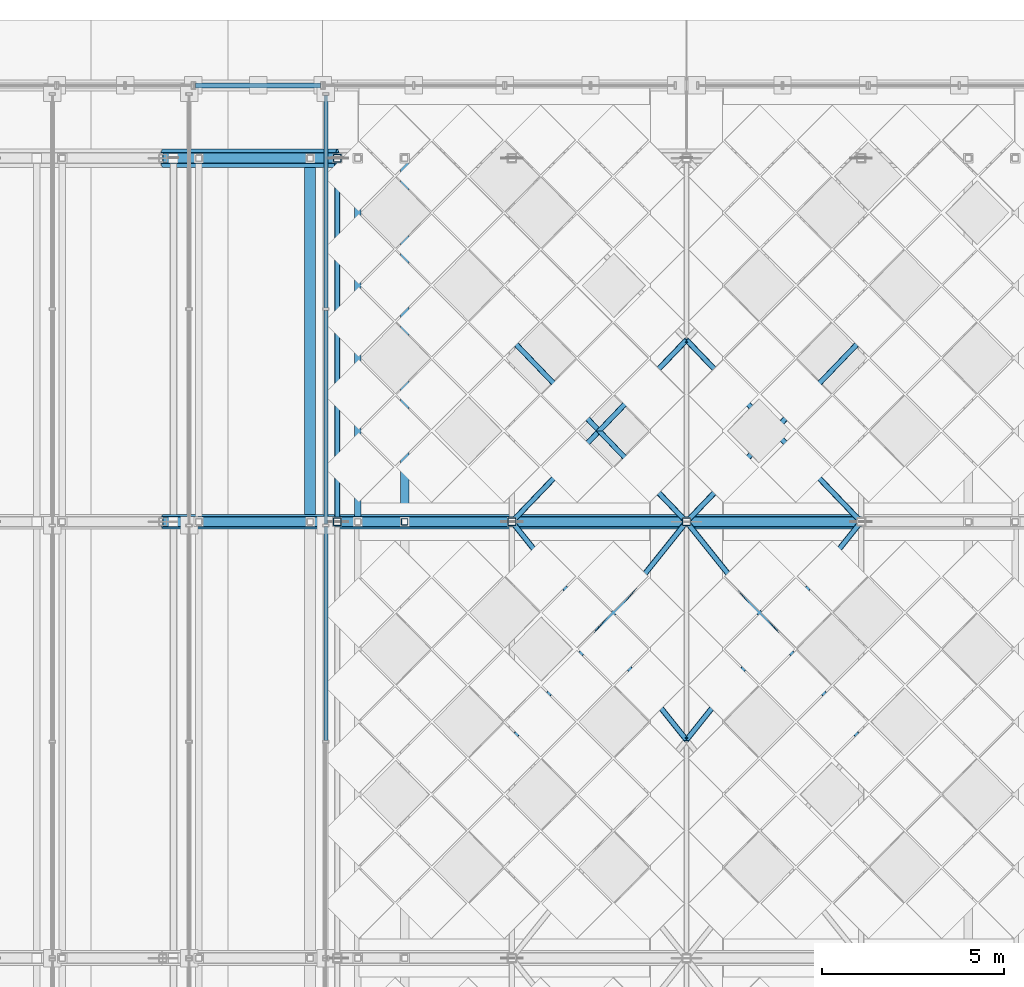
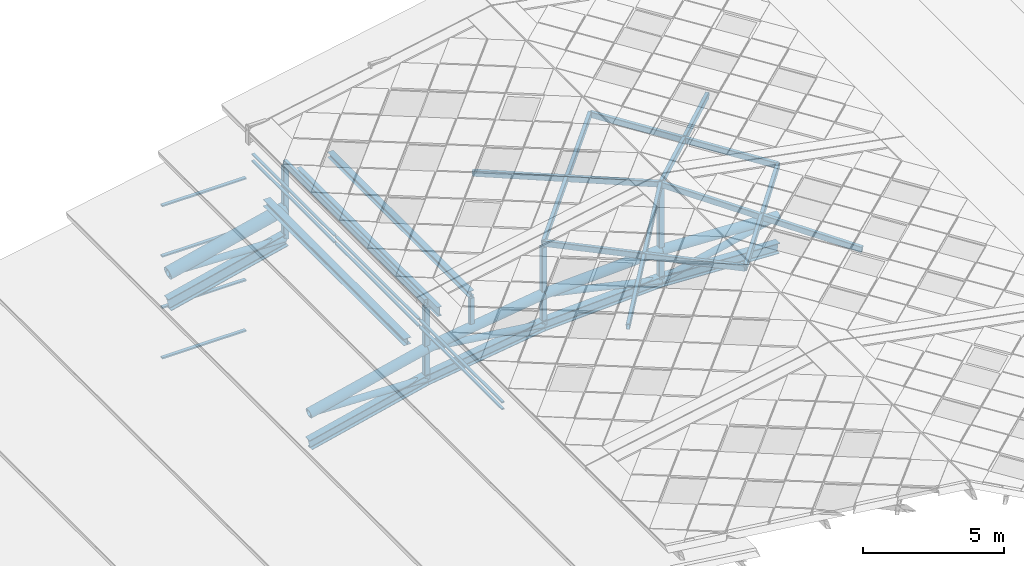
# One storey, part 34 of 117: 42 members, 2 elements without a shape of their own.
"""IFC4 building model written with IfcOpenShell, lengths in metres."""

from ifc_helpers import new_model, si_unit, direction, frame, origin, origin_2d, place, context, subcontext, project, spatial, hollow_rectangle, hollow_circle, i_section, extrude, material, material_profile, profile_set, type_object, element, aggregate, save


model = new_model("IFC4")

# Units and contexts
model_context = context("Model", 3, precision=1e-05, world=origin(), true_north=direction((0.0, 1.0)))
body_context = subcontext(model_context, "Body", "Model", "MODEL_VIEW")
ifc_project = project(units=[si_unit("LENGTHUNIT", "METRE"), si_unit("AREAUNIT", "SQUARE_METRE"), si_unit("VOLUMEUNIT", "CUBIC_METRE"), si_unit("PLANEANGLEUNIT", "RADIAN"), si_unit("MASSUNIT", "GRAM", prefix="KILO")], contexts=[model_context])

# Site, building, storey
site_placement = place(None, origin())
site = spatial("IfcSite", under=ifc_project, at=site_placement, CompositionType="ELEMENT")
building_placement = place(site_placement, origin())
building = spatial("IfcBuilding", under=site, at=building_placement, Name="Merenkruunu Market Hall", CompositionType="ELEMENT")
storey_placement = place(building_placement, frame((0.0, 0.0, 22.800048828125)))
storey = spatial("IfcBuildingStorey", under=building, at=storey_placement, Name="RF", CompositionType="ELEMENT", Elevation=22.800048828125)

# Members
ifc_material_1 = material(Name="Steel S355ML", Category="steel")
ifc_material_profile_1 = material_profile(ifc_material_1, hollow_circle(Radius=0.25390625, WallThickness=0.02001953125, at=origin_2d()), Name="CHS 508x20")
ifc_profile_set_1 = profile_set([ifc_material_profile_1], Name="Steel S355ML")
member_type_1 = type_object("IfcMemberType", Name="Arch Truss Chord TC01", PredefinedType="CHORD", material=ifc_profile_set_1)
member_1_placement = place(storey_placement, frame((14.39990234375, 109.60009765625, -3.47998046875), z_axis=(0.972941974064, 0.0, 0.231049594471), x_axis=(0.0, 1.0, 0.0)))
element("IfcMember", 1, at=member_1_placement, inside=storey, type_object=member_type_1, Name="TRUSS-AT-G-TOP-04", PredefinedType="CHORD", context=body_context, shape_type="SweptSolid", body=[
    extrude(hollow_circle(Radius=0.25390625, WallThickness=0.02001953125, at=origin_2d()), origin(), (0.0, 0.0, 1.0), 4.93359375),
])
ifc_material_profile_2 = material_profile(ifc_material_1, hollow_circle(Radius=0.203125, WallThickness=0.01611328125, at=origin_2d()), Name="CHS 406.4x16")
ifc_profile_set_2 = profile_set([ifc_material_profile_2], Name="Steel S355ML")
member_type_2 = type_object("IfcMemberType", Name="Arch Truss Chord TC02", PredefinedType="CHORD", material=ifc_profile_set_2)
member_2_placement = place(storey_placement, frame((14.39990234375, 99.60009765625, -3.47998046875), z_axis=(0.972941974064, 0.0, 0.231049594471), x_axis=(0.0, 1.0, 0.0)))
element("IfcMember", 2, at=member_2_placement, inside=storey, type_object=member_type_2, Name="TRUSS-AT-8-TOP-04", PredefinedType="CHORD", context=body_context, shape_type="SweptSolid", body=[
    extrude(hollow_circle(Radius=0.203125, WallThickness=0.01611328125, at=origin_2d()), origin(), (0.0, 0.0, 1.0), 4.93359375),
])
member_3_placement = place(storey_placement, frame((19.199951171875, 99.60009765625, -2.340087890625), z_axis=(0.990338564897, 0.0, 0.138670569613), x_axis=(0.0, 1.0, 0.0)))
element("IfcMember", 3, at=member_3_placement, inside=storey, type_object=member_type_2, Name="TRUSS-AT-8-TOP-05", PredefinedType="CHORD", context=body_context, shape_type="SweptSolid", body=[
    extrude(hollow_circle(Radius=0.203125, WallThickness=0.01611328125, at=origin_2d()), origin(), (0.0, 0.0, 1.0), 4.846923828125),
])
for number, where, z_axis, x_axis, name in (
    (4, (24.0, 99.60009765625, -1.66796875), (0.998932934692, 0.0, 0.046184326211), (0.0, 1.0, 0.0), "TRUSS-AT-8-TOP-06"),
    (5, (28.800048828125, 99.60009765625, -1.446044921875), (0.998932934692, 0.0, -0.046184326211), (0.0, 1.0, 0.0), "TRUSS-AT-8-TOP-07"),
):
    element("IfcMember", number, at=place(storey_placement, frame(where, z_axis=z_axis, x_axis=x_axis)), inside=storey, type_object=member_type_2, Name=name, PredefinedType="CHORD", context=body_context, shape_type="SweptSolid", body=[
        extrude(hollow_circle(Radius=0.203125, WallThickness=0.01611328125, at=origin_2d()), origin(), (0.0, 0.0, 1.0), 4.80517578125),
    ])
ifc_material_profile_3 = material_profile(ifc_material_1, i_section(OverallWidth=0.300048828125, OverallDepth=0.550048828125, WebThickness=0.014892578125, FlangeThickness=0.029052734375, FilletRadius=0.027099609375, at=origin_2d()), Name="HEB 550")
ifc_profile_set_3 = profile_set([ifc_material_profile_3], Name="Steel S355ML")
member_type_3 = type_object("IfcMemberType", Name="Arch Truss Chord TC03", PredefinedType="CHORD", material=ifc_profile_set_3)
member_4_placement = place(storey_placement, frame((14.39990234375, 109.60009765625, -4.780029296875), z_axis=(0.972941974064, 0.0, 0.231049594471), x_axis=(0.0, 1.0, 0.0)))
element("IfcMember", 6, at=member_4_placement, inside=storey, type_object=member_type_3, Name="TRUSS-AT-G-BOT-04", PredefinedType="CHORD", context=body_context, shape_type="SweptSolid", body=[
    extrude(i_section(OverallWidth=0.300048828125, OverallDepth=0.550048828125, WebThickness=0.014892578125, FlangeThickness=0.029052734375, FilletRadius=0.027099609375, at=origin_2d()), origin(), (0.0, 0.0, 1.0), 4.93359375),
])
ifc_material_profile_4 = material_profile(ifc_material_1, i_section(OverallWidth=0.300048828125, OverallDepth=0.449951171875, WebThickness=0.013916015625, FlangeThickness=0.02587890625, FilletRadius=0.027099609375, at=origin_2d()), Name="HEB 450")
ifc_profile_set_4 = profile_set([ifc_material_profile_4], Name="Steel S355ML")
member_type_4 = type_object("IfcMemberType", Name="Arch Truss Chord TC04", PredefinedType="CHORD", material=ifc_profile_set_4)
member_5_placement = place(storey_placement, frame((14.39990234375, 99.60009765625, -4.780029296875), z_axis=(0.972941974064, 0.0, 0.231049594471), x_axis=(0.0, 1.0, 0.0)))
element("IfcMember", 7, at=member_5_placement, inside=storey, type_object=member_type_4, Name="TRUSS-AT-8-BOT-04", PredefinedType="CHORD", context=body_context, shape_type="SweptSolid", body=[
    extrude(i_section(OverallWidth=0.300048828125, OverallDepth=0.449951171875, WebThickness=0.013916015625, FlangeThickness=0.02587890625, FilletRadius=0.027099609375, at=origin_2d()), origin(), (0.0, 0.0, 1.0), 4.93359375),
])
member_6_placement = place(storey_placement, frame((19.199951171875, 99.60009765625, -3.64013671875), z_axis=(0.990338564897, 0.0, 0.138670569613), x_axis=(0.0, 1.0, 0.0)))
element("IfcMember", 8, at=member_6_placement, inside=storey, type_object=member_type_4, Name="TRUSS-AT-8-BOT-05", PredefinedType="CHORD", context=body_context, shape_type="SweptSolid", body=[
    extrude(i_section(OverallWidth=0.300048828125, OverallDepth=0.449951171875, WebThickness=0.013916015625, FlangeThickness=0.02587890625, FilletRadius=0.027099609375, at=origin_2d()), origin(), (0.0, 0.0, 1.0), 4.846923828125),
])
for number, where, z_axis, x_axis, name in (
    (9, (24.0, 99.60009765625, -2.968017578125), (0.998932934692, 0.0, 0.046184326211), (0.0, 1.0, 0.0), "TRUSS-AT-8-BOT-06"),
    (10, (28.800048828125, 99.60009765625, -2.74609375), (0.998932934692, 0.0, -0.046184326211), (0.0, 1.0, 0.0), "TRUSS-AT-8-BOT-07"),
):
    element("IfcMember", number, at=place(storey_placement, frame(where, z_axis=z_axis, x_axis=x_axis)), inside=storey, type_object=member_type_4, Name=name, PredefinedType="CHORD", context=body_context, shape_type="SweptSolid", body=[
        extrude(i_section(OverallWidth=0.300048828125, OverallDepth=0.449951171875, WebThickness=0.013916015625, FlangeThickness=0.02587890625, FilletRadius=0.027099609375, at=origin_2d()), origin(), (0.0, 0.0, 1.0), 4.80517578125),
    ])

# Curtain wall, members
ifc_material_2 = material(Name="Powder-coated aluminium", Category="aluminium")
curtain_wall_type_1 = type_object("IfcCurtainWallType", Name="Glazed Curtain Wall CW18", PredefinedType="USERDEFINED", material=ifc_material_2)
curtain_wall_1_placement = place(storey_placement, origin())
curtain_wall_1 = element("IfcCurtainWall", 11, at=curtain_wall_1_placement, inside=storey, type_object=curtain_wall_type_1, Name="CW-RF-CWM03-071", ObjectType="GLAZED_FACADE", PredefinedType="USERDEFINED")
ifc_material_profile_5 = material_profile(ifc_material_2, hollow_rectangle(XDim=0.06005859375, YDim=0.139892578125, WallThickness=0.00390625, at=origin_2d()), Name="ALU 60x140x4")
ifc_profile_set_5 = profile_set([ifc_material_profile_5], Name="Powder-coated aluminium")
member_type_5 = type_object("IfcMemberType", Name="Curtain Wall Transom CWT02", PredefinedType="USERDEFINED", material=ifc_profile_set_5)
member_7_placement = place(storey_placement, frame((15.300048828125, 111.60009765625, -8.66015625), z_axis=(1.0, 0.0, 0.0), x_axis=(0.0, 0.0, 1.0)))
member_7 = element("IfcMember", 12, at=member_7_placement, type_object=member_type_5, Name="CW18 transom 1.1", ObjectType="TRANSOM", PredefinedType="USERDEFINED", context=body_context, shape_type="SweptSolid", body=[
    extrude(hollow_rectangle(XDim=0.06005859375, YDim=0.139892578125, WallThickness=0.00390625, at=origin_2d()), origin(), (0.0, 0.0, 1.0), 3.43994140625),
])
member_8_placement = place(storey_placement, frame((15.300048828125, 111.60009765625, -6.47314453125), z_axis=(1.0, 0.0, 0.0), x_axis=(0.0, 0.0, 1.0)))
member_8 = element("IfcMember", 13, at=member_8_placement, type_object=member_type_5, Name="CW18 transom 1.2", ObjectType="TRANSOM", PredefinedType="USERDEFINED", context=body_context, shape_type="SweptSolid", body=[
    extrude(hollow_rectangle(XDim=0.06005859375, YDim=0.139892578125, WallThickness=0.00390625, at=origin_2d()), origin(), (0.0, 0.0, 1.0), 3.43994140625),
])
member_9_placement = place(storey_placement, frame((15.300048828125, 111.60009765625, -4.257080078125), z_axis=(1.0, 0.0, 0.0), x_axis=(0.0, 0.0, 1.0)))
member_9 = element("IfcMember", 14, at=member_9_placement, type_object=member_type_5, Name="CW18 transom 1.3", ObjectType="TRANSOM", PredefinedType="USERDEFINED", context=body_context, shape_type="SweptSolid", body=[
    extrude(hollow_rectangle(XDim=0.06005859375, YDim=0.139892578125, WallThickness=0.00390625, at=origin_2d()), origin(), (0.0, 0.0, 1.0), 3.43994140625),
])
member_10_placement = place(storey_placement, frame((15.300048828125, 111.60009765625, -2.070068359375), z_axis=(1.0, 0.0, 0.0), x_axis=(0.0, 0.0, 1.0)))
member_10 = element("IfcMember", 15, at=member_10_placement, type_object=member_type_5, Name="CW18 transom 1.4", ObjectType="TRANSOM", PredefinedType="USERDEFINED", context=body_context, shape_type="SweptSolid", body=[
    extrude(hollow_rectangle(XDim=0.06005859375, YDim=0.139892578125, WallThickness=0.00390625, at=origin_2d()), origin(), (0.0, 0.0, 1.0), 3.43994140625),
])
aggregate(curtain_wall_1, [member_7, member_8, member_9, member_10])

curtain_wall_type_2 = type_object("IfcCurtainWallType", Name="Clerestory Curtain Band CL05", PredefinedType="USERDEFINED", material=ifc_material_2)
curtain_wall_2_placement = place(storey_placement, origin())
curtain_wall_2 = element("IfcCurtainWall", 16, at=curtain_wall_2_placement, inside=storey, type_object=curtain_wall_type_2, Name="CW-RF-CWM04-119", ObjectType="CLERESTORY_BAND", PredefinedType="USERDEFINED")
ifc_material_profile_6 = material_profile(ifc_material_2, hollow_rectangle(XDim=0.06005859375, YDim=0.110107421875, WallThickness=0.00390625, at=origin_2d()), Name="ALU 60x110x4")
ifc_profile_set_6 = profile_set([ifc_material_profile_6], Name="Powder-coated aluminium")
member_type_6 = type_object("IfcMemberType", Name="Curtain Wall Transom CWT03", PredefinedType="USERDEFINED", material=ifc_profile_set_6)
member_11_placement = place(storey_placement, frame((18.8798828125, 93.5849609375, -1.212158203125), z_axis=(0.0, 1.0, 0.0), x_axis=(0.0, 0.0, 1.0)))
member_11 = element("IfcMember", 17, at=member_11_placement, type_object=member_type_6, Name="CL05 transom 2.1", ObjectType="TRANSOM", PredefinedType="USERDEFINED", context=body_context, shape_type="SweptSolid", body=[
    extrude(hollow_rectangle(XDim=0.06005859375, YDim=0.110107421875, WallThickness=0.00390625, at=origin_2d()), origin(), (0.0, 0.0, 1.0), 5.880126953125),
])
member_12_placement = place(storey_placement, frame((18.8798828125, 93.5849609375, -0.924072265625), z_axis=(0.0, 1.0, 0.0), x_axis=(0.0, 0.0, 1.0)))
member_12 = element("IfcMember", 18, at=member_12_placement, type_object=member_type_6, Name="CL05 transom 2.2", ObjectType="TRANSOM", PredefinedType="USERDEFINED", context=body_context, shape_type="SweptSolid", body=[
    extrude(hollow_rectangle(XDim=0.06005859375, YDim=0.110107421875, WallThickness=0.00390625, at=origin_2d()), origin(), (0.0, 0.0, 1.0), 5.880126953125),
])
member_13_placement = place(storey_placement, frame((18.8798828125, 99.534912109375, -1.212158203125), z_axis=(0.0, 1.0, 0.0), x_axis=(0.0, 0.0, 1.0)))
member_13 = element("IfcMember", 19, at=member_13_placement, type_object=member_type_6, Name="CL05 transom 3.1", ObjectType="TRANSOM", PredefinedType="USERDEFINED", context=body_context, shape_type="SweptSolid", body=[
    extrude(hollow_rectangle(XDim=0.06005859375, YDim=0.110107421875, WallThickness=0.00390625, at=origin_2d()), origin(), (0.0, 0.0, 1.0), 5.880126953125),
])
member_14_placement = place(storey_placement, frame((18.8798828125, 99.534912109375, -0.924072265625), z_axis=(0.0, 1.0, 0.0), x_axis=(0.0, 0.0, 1.0)))
member_14 = element("IfcMember", 20, at=member_14_placement, type_object=member_type_6, Name="CL05 transom 3.2", ObjectType="TRANSOM", PredefinedType="USERDEFINED", context=body_context, shape_type="SweptSolid", body=[
    extrude(hollow_rectangle(XDim=0.06005859375, YDim=0.110107421875, WallThickness=0.00390625, at=origin_2d()), origin(), (0.0, 0.0, 1.0), 5.880126953125),
])
member_15_placement = place(storey_placement, frame((18.8798828125, 105.485107421875, -1.212158203125), z_axis=(0.0, 1.0, 0.0), x_axis=(0.0, 0.0, 1.0)))
member_15 = element("IfcMember", 21, at=member_15_placement, type_object=member_type_6, Name="CL05 transom 4.1", ObjectType="TRANSOM", PredefinedType="USERDEFINED", context=body_context, shape_type="SweptSolid", body=[
    extrude(hollow_rectangle(XDim=0.06005859375, YDim=0.110107421875, WallThickness=0.00390625, at=origin_2d()), origin(), (0.0, 0.0, 1.0), 5.844970703125),
])
member_16_placement = place(storey_placement, frame((18.8798828125, 105.485107421875, -0.924072265625), z_axis=(0.0, 1.0, 0.0), x_axis=(0.0, 0.0, 1.0)))
member_16 = element("IfcMember", 22, at=member_16_placement, type_object=member_type_6, Name="CL05 transom 4.2", ObjectType="TRANSOM", PredefinedType="USERDEFINED", context=body_context, shape_type="SweptSolid", body=[
    extrude(hollow_rectangle(XDim=0.06005859375, YDim=0.110107421875, WallThickness=0.00390625, at=origin_2d()), origin(), (0.0, 0.0, 1.0), 5.844970703125),
])
aggregate(curtain_wall_2, [member_11, member_12, member_13, member_14, member_15, member_16])

# Members
ifc_material_profile_7 = material_profile(ifc_material_1, hollow_circle(Radius=0.136474609375, WallThickness=0.012451171875, at=origin_2d()), Name="CHS 273x12.5")
ifc_profile_set_7 = profile_set([ifc_material_profile_7], Name="Steel S355ML")
member_type_7 = type_object("IfcMemberType", Name="Diagonal Sway Brace BR02", PredefinedType="BRACE", material=ifc_profile_set_7)
member_17_placement = place(storey_placement, frame((14.39990234375, 99.60009765625, -3.47998046875), z_axis=(0.999443834494, 0.0, -0.033346989239), x_axis=(0.0, 1.0, 0.0)))
element("IfcMember", 23, at=member_17_placement, inside=storey, type_object=member_type_7, Name="TRUSS-AT-8-DIAG-04", PredefinedType="BRACE", context=body_context, shape_type="SweptSolid", body=[
    extrude(hollow_circle(Radius=0.136474609375, WallThickness=0.012451171875, at=origin_2d()), origin(), (0.0, 0.0, 1.0), 4.802734375),
])
member_18_placement = place(storey_placement, frame((19.199951171875, 99.60009765625, -2.340087890625), z_axis=(0.991551689691, 0.0, -0.129712168551), x_axis=(0.0, 1.0, 0.0)))
element("IfcMember", 24, at=member_18_placement, inside=storey, type_object=member_type_7, Name="TRUSS-AT-8-DIAG-05", PredefinedType="BRACE", context=body_context, shape_type="SweptSolid", body=[
    extrude(hollow_circle(Radius=0.136474609375, WallThickness=0.012451171875, at=origin_2d()), origin(), (0.0, 0.0, 1.0), 4.841064453125),
])
for number, where, z_axis, x_axis, name in (
    (25, (24.0, 99.60009765625, -1.66796875), (0.975691787326, 0.0, -0.219147293262), (0.0, 1.0, 0.0), "TRUSS-AT-8-DIAG-06"),
    (26, (28.800048828125, 99.60009765625, -2.74609375), (0.975691787326, 0.0, 0.219147293262), (0.0, 1.0, 0.0), "TRUSS-AT-8-DIAG-07"),
):
    element("IfcMember", number, at=place(storey_placement, frame(where, z_axis=z_axis, x_axis=x_axis)), inside=storey, type_object=member_type_7, Name=name, PredefinedType="BRACE", context=body_context, shape_type="SweptSolid", body=[
        extrude(hollow_circle(Radius=0.136474609375, WallThickness=0.012451171875, at=origin_2d()), origin(), (0.0, 0.0, 1.0), 4.919677734375),
    ])
member_19_placement = place(storey_placement, frame((14.39990234375, 109.60009765625, -3.47998046875), z_axis=(0.999443834494, 0.0, -0.033346989239), x_axis=(0.0, 1.0, 0.0)))
element("IfcMember", 27, at=member_19_placement, inside=storey, type_object=member_type_7, Name="TRUSS-AT-G-DIAG-04", PredefinedType="BRACE", context=body_context, shape_type="SweptSolid", body=[
    extrude(hollow_circle(Radius=0.136474609375, WallThickness=0.012451171875, at=origin_2d()), origin(), (0.0, 0.0, 1.0), 4.802734375),
])
ifc_material_3 = material(Name="Steel S355J2", Category="steel")
ifc_material_profile_8 = material_profile(ifc_material_3, hollow_rectangle(XDim=0.219970703125, YDim=0.219970703125, WallThickness=0.012451171875, InnerFilletRadius=0.012451171875, OuterFilletRadius=0.02490234375, at=origin_2d()), Name="SHS 220x220x12.5")
ifc_profile_set_8 = profile_set([ifc_material_profile_8], Name="Steel S355J2")
member_type_8 = type_object("IfcMemberType", Name="Diagonal Sway Brace BR04", PredefinedType="BRACE", material=ifc_profile_set_8)
member_20_placement = place(storey_placement, frame((19.199951171875, 99.60009765625, -3.64013671875), z_axis=(0.0, 0.0, 1.0), x_axis=(1.0, 0.0, 0.0)))
element("IfcMember", 28, at=member_20_placement, inside=storey, type_object=member_type_8, Name="TRUSS-AT-8-POST-04", PredefinedType="BRACE", context=body_context, shape_type="SweptSolid", body=[
    extrude(hollow_rectangle(XDim=0.219970703125, YDim=0.219970703125, WallThickness=0.012451171875, InnerFilletRadius=0.012451171875, OuterFilletRadius=0.02490234375, at=origin_2d()), origin(), (0.0, 0.0, 1.0), 3.1416015625),
])
member_21_placement = place(storey_placement, frame((24.0, 99.60009765625, -2.968017578125), z_axis=(0.0, 0.0, 1.0), x_axis=(1.0, 0.0, 0.0)))
element("IfcMember", 29, at=member_21_placement, inside=storey, type_object=member_type_8, Name="TRUSS-AT-8-POST-05", PredefinedType="BRACE", context=body_context, shape_type="SweptSolid", body=[
    extrude(hollow_rectangle(XDim=0.219970703125, YDim=0.219970703125, WallThickness=0.012451171875, InnerFilletRadius=0.012451171875, OuterFilletRadius=0.02490234375, at=origin_2d()), origin(), (0.0, 0.0, 1.0), 3.3720703125),
])
member_22_placement = place(storey_placement, frame((28.800048828125, 99.60009765625, -2.74609375), z_axis=(0.0, 0.0, 1.0), x_axis=(1.0, 0.0, 0.0)))
element("IfcMember", 30, at=member_22_placement, inside=storey, type_object=member_type_8, Name="TRUSS-AT-8-POST-06", PredefinedType="BRACE", context=body_context, shape_type="SweptSolid", body=[
    extrude(hollow_rectangle(XDim=0.219970703125, YDim=0.219970703125, WallThickness=0.012451171875, InnerFilletRadius=0.012451171875, OuterFilletRadius=0.02490234375, at=origin_2d()), origin(), (0.0, 0.0, 1.0), 4.00244140625),
])
member_23_placement = place(storey_placement, frame((19.199951171875, 109.60009765625, -3.64013671875), z_axis=(0.0, 0.0, 1.0), x_axis=(1.0, 0.0, 0.0)))
element("IfcMember", 31, at=member_23_placement, inside=storey, type_object=member_type_8, Name="TRUSS-AT-G-POST-04", PredefinedType="BRACE", context=body_context, shape_type="SweptSolid", body=[
    extrude(hollow_rectangle(XDim=0.219970703125, YDim=0.219970703125, WallThickness=0.012451171875, InnerFilletRadius=0.012451171875, OuterFilletRadius=0.02490234375, at=origin_2d()), origin(), (0.0, 0.0, 1.0), 3.1416015625),
])
ifc_material_profile_9 = material_profile(ifc_material_3, hollow_rectangle(XDim=0.179931640625, YDim=0.179931640625, WallThickness=0.010009765625, InnerFilletRadius=0.010009765625, OuterFilletRadius=0.02001953125, at=origin_2d()), Name="SHS 180x180x10")
ifc_profile_set_9 = profile_set([ifc_material_profile_9], Name="Steel S355J2")
member_type_9 = type_object("IfcMemberType", Name="Diagonal Sway Brace BR05", PredefinedType="BRACE", material=ifc_profile_set_9)
member_24_placement = place(storey_placement, frame((21.050048828125, 99.60009765625, -1.889892578125), z_axis=(0.0, 0.0, 1.0), x_axis=(1.0, 0.0, 0.0)))
element("IfcMember", 32, at=member_24_placement, inside=storey, type_object=member_type_9, Name="TRUSS-AT-8-RISER-W6-2", PredefinedType="BRACE", context=body_context, shape_type="SweptSolid", body=[
    extrude(hollow_rectangle(XDim=0.179931640625, YDim=0.179931640625, WallThickness=0.010009765625, InnerFilletRadius=0.010009765625, OuterFilletRadius=0.02001953125, at=origin_2d()), origin(), (0.0, 0.0, 1.0), 1.12841796875),
])
ifc_material_profile_10 = material_profile(ifc_material_1, hollow_rectangle(XDim=0.14990234375, YDim=0.25, WallThickness=0.010009765625, InnerFilletRadius=0.010009765625, OuterFilletRadius=0.02001953125, at=origin_2d()), Name="RHS 250x150x10")
ifc_profile_set_10 = profile_set([ifc_material_profile_10], Name="Steel S355ML")
member_type_10 = type_object("IfcMemberType", Name="Roof Purlin Rafter PR04", PredefinedType="PURLIN", material=ifc_profile_set_10)
for number, where, z_axis, x_axis, name in (
    (33, (24.0, 93.60009765625, 0.546875), (0.620665210201, 0.775823620665, 0.11345662812), (-0.780865709579, 0.624698922365, 0.0), "MEM-CROWN-DIAG-084"),
    (34, (28.800048828125, 93.60009765625, 1.42431640625), (-0.620665210201, 0.775823620665, -0.11345662812), (-0.780865709579, -0.624698922365, 0.0), "MEM-CROWN-DIAG-085"),
    (35, (33.60009765625, 93.60009765625, 0.546875), (-0.620665210201, 0.775823620665, 0.11345662812), (-0.780865709579, -0.624698922365, 0.0), "MEM-CROWN-DIAG-090"),
    (36, (28.800048828125, 93.60009765625, 1.42431640625), (0.620665210201, 0.775823620665, -0.11345662812), (-0.780865709579, 0.624698922365, 0.0), "MEM-CROWN-DIAG-091"),
):
    element("IfcMember", number, at=place(storey_placement, frame(where, z_axis=z_axis, x_axis=x_axis)), inside=storey, type_object=member_type_10, Name=name, PredefinedType="PURLIN", context=body_context, shape_type="SweptSolid", body=[
        extrude(hollow_rectangle(XDim=0.14990234375, YDim=0.25, WallThickness=0.010009765625, InnerFilletRadius=0.010009765625, OuterFilletRadius=0.02001953125, at=origin_2d()), origin(), (0.0, 0.0, 1.0), 7.733642578125),
    ])
member_25_placement = place(storey_placement, frame((19.199951171875, 99.60009765625, -0.35546875), z_axis=(0.0, 1.0, 0.0), x_axis=(-1.0, 0.0, 0.0)))
element("IfcMember", 37, at=member_25_placement, inside=storey, type_object=member_type_10, Name="MEM-CROWN-EAVE-093", PredefinedType="PURLIN", context=body_context, shape_type="SweptSolid", body=[
    extrude(hollow_rectangle(XDim=0.14990234375, YDim=0.25, WallThickness=0.010009765625, InnerFilletRadius=0.010009765625, OuterFilletRadius=0.02001953125, at=origin_2d()), origin(), (0.0, 0.0, 1.0), 10.0),
])
for number, where, z_axis, x_axis, name in (
    (38, (24.0, 99.60009765625, 0.546875), (0.687051980207, 0.715671865858, 0.125592025678), (-0.721383801573, 0.692535494273, 0.0), "MEM-CROWN-DIAG-095"),
    (39, (28.800048828125, 99.60009765625, 1.42431640625), (-0.687051980207, 0.715671865858, -0.125592025678), (-0.721383801573, -0.692535494273, 0.0), "MEM-CROWN-DIAG-096"),
    (40, (33.60009765625, 99.60009765625, 0.546875), (-0.687051980207, 0.715671865858, 0.125592025678), (-0.721383801573, -0.692535494273, 0.0), "MEM-CROWN-DIAG-101"),
    (41, (28.800048828125, 99.60009765625, 1.42431640625), (0.687051980207, 0.715671865858, -0.125592025678), (-0.721383801573, 0.692535494273, 0.0), "MEM-CROWN-DIAG-102"),
):
    element("IfcMember", number, at=place(storey_placement, frame(where, z_axis=z_axis, x_axis=x_axis)), inside=storey, type_object=member_type_10, Name=name, PredefinedType="PURLIN", context=body_context, shape_type="SweptSolid", body=[
        extrude(hollow_rectangle(XDim=0.14990234375, YDim=0.25, WallThickness=0.010009765625, InnerFilletRadius=0.010009765625, OuterFilletRadius=0.02001953125, at=origin_2d()), origin(), (0.0, 0.0, 1.0), 6.986328125),
    ])
ifc_material_profile_11 = material_profile(ifc_material_1, i_section(OverallWidth=0.300048828125, OverallDepth=0.2900390625, WebThickness=0.008544921875, FlangeThickness=0.013916015625, FilletRadius=0.027099609375, at=origin_2d()), Name="HEA 300")
ifc_profile_set_11 = profile_set([ifc_material_profile_11], Name="Steel S355ML")
member_type_11 = type_object("IfcMemberType", Name="Roof Purlin Rafter PR07", PredefinedType="PURLIN", material=ifc_profile_set_11)
member_26_placement = place(storey_placement, frame((18.449951171875, 99.60009765625, -1.789306640625), z_axis=(0.0, 1.0, 0.0), x_axis=(-1.0, 0.0, 0.0)))
element("IfcMember", 42, at=member_26_placement, inside=storey, type_object=member_type_11, Name="MEM-RF-PURL-W-159", PredefinedType="PURLIN", context=body_context, shape_type="SweptSolid", body=[
    extrude(i_section(OverallWidth=0.300048828125, OverallDepth=0.2900390625, WebThickness=0.008544921875, FlangeThickness=0.013916015625, FilletRadius=0.027099609375, at=origin_2d()), origin(), (0.0, 0.0, 1.0), 10.0),
])
ifc_material_profile_12 = material_profile(ifc_material_1, i_section(OverallWidth=0.239990234375, OverallDepth=0.22998046875, WebThickness=0.007568359375, FlangeThickness=0.011962890625, FilletRadius=0.02099609375, at=origin_2d()), Name="HEA 240")
ifc_profile_set_12 = profile_set([ifc_material_profile_12], Name="Steel S355ML")
member_type_12 = type_object("IfcMemberType", Name="Roof Purlin Rafter PR08", PredefinedType="PURLIN", material=ifc_profile_set_12)
member_27_placement = place(storey_placement, frame((21.050048828125, 99.60009765625, -0.62841796875), z_axis=(0.0, 1.0, 0.0), x_axis=(-1.0, 0.0, 0.0)))
element("IfcMember", 43, at=member_27_placement, inside=storey, type_object=member_type_12, Name="MEM-RF-PURL-W-191", PredefinedType="PURLIN", context=body_context, shape_type="SweptSolid", body=[
    extrude(i_section(OverallWidth=0.239990234375, OverallDepth=0.22998046875, WebThickness=0.007568359375, FlangeThickness=0.011962890625, FilletRadius=0.02099609375, at=origin_2d()), origin(), (0.0, 0.0, 1.0), 10.0),
])
ifc_material_profile_13 = material_profile(ifc_material_1, i_section(OverallWidth=0.179931640625, OverallDepth=0.39990234375, WebThickness=0.008544921875, FlangeThickness=0.013427734375, FilletRadius=0.02099609375, at=origin_2d()), Name="IPE 400")
ifc_profile_set_13 = profile_set([ifc_material_profile_13], Name="Steel S355ML")
member_type_13 = type_object("IfcMemberType", Name="Roof Purlin Rafter PR09", PredefinedType="PURLIN", material=ifc_profile_set_13)
member_28_placement = place(storey_placement, frame((19.760009765625, 99.60009765625, -0.947021484375), z_axis=(0.0, 1.0, 0.0), x_axis=(-1.0, 0.0, 0.0)))
element("IfcMember", 44, at=member_28_placement, inside=storey, type_object=member_type_13, Name="MEM-RF-PURL-W-175", PredefinedType="PURLIN", context=body_context, shape_type="SweptSolid", body=[
    extrude(i_section(OverallWidth=0.179931640625, OverallDepth=0.39990234375, WebThickness=0.008544921875, FlangeThickness=0.013427734375, FilletRadius=0.02099609375, at=origin_2d()), origin(), (0.0, 0.0, 1.0), 10.0),
])

save(model, "model.ifc")
